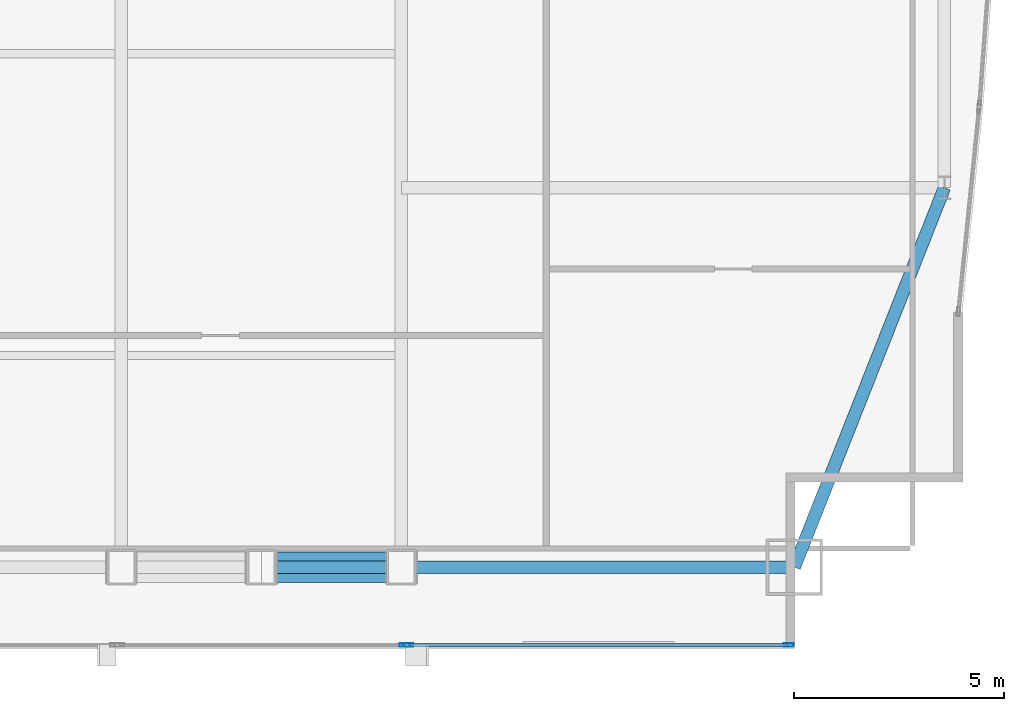
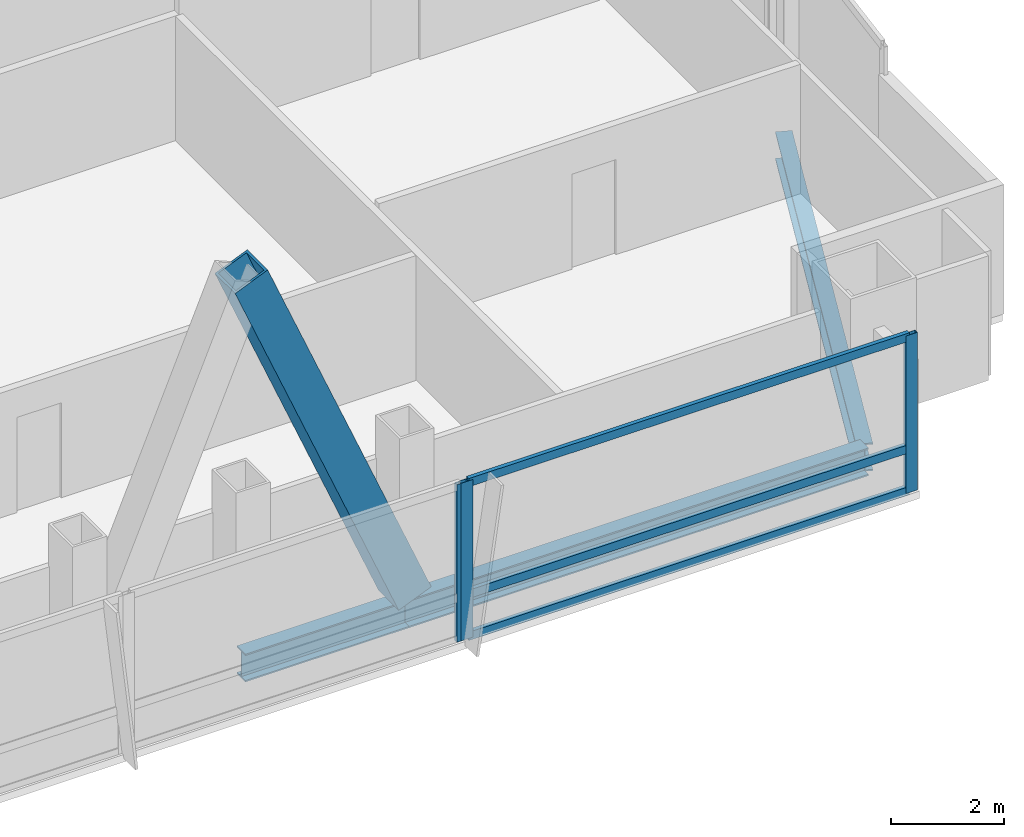
# One storey, part 15 of 29: 7 members, 3 beams, 2 elements without a shape of their own.
"""IFC4 building model written with IfcOpenShell, lengths in metres."""

from ifc_helpers import new_model, si_unit, direction, frame, origin, origin_2d, place, context, subcontext, project, spatial, hollow_rectangle, i_section, extrude, material, material_profile, profile_set, type_object, element, aggregate, save


model = new_model("IFC4")

# Units and contexts
model_context = context("Model", 3, precision=1e-05, world=origin(), true_north=direction((0.0, 1.0)))
body_context = subcontext(model_context, "Body", "Model", "MODEL_VIEW")
ifc_project = project(units=[si_unit("LENGTHUNIT", "METRE"), si_unit("AREAUNIT", "SQUARE_METRE"), si_unit("VOLUMEUNIT", "CUBIC_METRE"), si_unit("PLANEANGLEUNIT", "RADIAN"), si_unit("MASSUNIT", "GRAM", prefix="KILO")], contexts=[model_context])

# Site, building, storey
site_placement = place(None, origin())
site = spatial("IfcSite", under=ifc_project, at=site_placement, CompositionType="ELEMENT")
building_placement = place(site_placement, origin())
building = spatial("IfcBuilding", under=site, at=building_placement, Name="Khoronbel Lancet Exchange", CompositionType="ELEMENT")
storey_placement = place(building_placement, frame((0.0, 0.0, 180.60009765625)))
storey = spatial("IfcBuildingStorey", under=building, at=storey_placement, Name="L45", CompositionType="ELEMENT", Elevation=180.60009765625)

# Beams
ifc_material_1 = material(Name="Steel S355", Category="steel")
ifc_material_profile_1 = material_profile(ifc_material_1, i_section(OverallWidth=0.300048828125, OverallDepth=0.60009765625, WebThickness=0.015380859375, FlangeThickness=0.030029296875, at=origin_2d()), Name="HEB 600")
ifc_profile_set_1 = profile_set([ifc_material_profile_1], Name="Steel S355")
beam_type = type_object("IfcBeamType", Name="BM-BSP2", PredefinedType="SPANDREL", material=ifc_profile_set_1)
beam_1_placement = place(storey_placement, frame((51.33740234375, 10.14990234375, -0.460205078125), z_axis=(1.0, 0.0, 0.0), x_axis=(0.0, 1.0, 0.0)))
element("IfcBeam", 1, at=beam_1_placement, inside=storey, type_object=beam_type, Name="Level L45 perimeter spandrel beam SP08", PredefinedType="SPANDREL", context=body_context, shape_type="SweptSolid", body=[
    extrude(i_section(OverallWidth=0.300048828125, OverallDepth=0.60009765625, WebThickness=0.015380859375, FlangeThickness=0.030029296875, at=origin_2d()), origin(), (0.0, 0.0, 1.0), 3.337646484375),
])
beam_2_placement = place(storey_placement, frame((54.675048828125, 10.14990234375, -0.460205078125), z_axis=(1.0, 0.0, 0.0), x_axis=(0.0, 1.0, 0.0)))
element("IfcBeam", 2, at=beam_2_placement, inside=storey, type_object=beam_type, Name="Level L45 perimeter spandrel beam SP09", PredefinedType="SPANDREL", context=body_context, shape_type="SweptSolid", body=[
    extrude(i_section(OverallWidth=0.300048828125, OverallDepth=0.60009765625, WebThickness=0.015380859375, FlangeThickness=0.030029296875, at=origin_2d()), origin(), (0.0, 0.0, 1.0), 9.375),
])
beam_3_placement = place(storey_placement, frame((64.050048828125, 10.14990234375, -0.460205078125), z_axis=(0.367828403855, 0.929893684954, 0.0), x_axis=(-0.929893684954, 0.367828403855, 0.0)))
element("IfcBeam", 3, at=beam_3_placement, inside=storey, type_object=beam_type, Name="Level L45 perimeter spandrel beam SP10", PredefinedType="SPANDREL", context=body_context, shape_type="SweptSolid", body=[
    extrude(i_section(OverallWidth=0.300048828125, OverallDepth=0.60009765625, WebThickness=0.015380859375, FlangeThickness=0.030029296875, at=origin_2d()), origin(), (0.0, 0.0, 1.0), 9.732421875),
])

# Curtain wall, member
ifc_material_2 = material(Name="Low-E Solar Control Insulating Glass", Category="glass")
curtain_wall_type = type_object("IfcCurtainWallType", Name="CW-3", PredefinedType="NOTDEFINED", material=ifc_material_2)
curtain_wall_1_placement = place(storey_placement, origin())
curtain_wall_1 = element("IfcCurtainWall", 4, at=curtain_wall_1_placement, inside=storey, type_object=curtain_wall_type, Name="Unitised curtain wall CW-L45-SEB", PredefinedType="NOTDEFINED")
ifc_material_3 = material(Name="Bronze-Anodised Aluminium 6063-T6", Category="aluminium")
ifc_material_profile_2 = material_profile(ifc_material_3, hollow_rectangle(XDim=0.0849609375, YDim=0.239990234375, WallThickness=0.006103515625, at=origin_2d()), Name="ALU MULLION 85x240")
ifc_profile_set_2 = profile_set([ifc_material_profile_2], Name="Bronze-Anodised Aluminium 6063-T6")
member_type_1 = type_object("IfcMemberType", Name="MEM-CWM1", PredefinedType="MULLION", material=ifc_profile_set_2)
member_1_placement = place(storey_placement, frame((54.757568359375, 8.2900390625, 0.0), z_axis=(0.0, 0.0, 1.0), x_axis=(0.0, 1.0, 0.0)))
member_1 = element("IfcMember", 5, at=member_1_placement, type_object=member_type_1, Name="CW3 mullion 2", PredefinedType="MULLION", context=body_context, shape_type="SweptSolid", body=[
    extrude(hollow_rectangle(XDim=0.0849609375, YDim=0.239990234375, WallThickness=0.006103515625, at=origin_2d()), origin(), (0.0, 0.0, 1.0), 3.39990234375),
])
aggregate(curtain_wall_1, [member_1])

# Curtain wall, members
curtain_wall_2_placement = place(storey_placement, origin())
curtain_wall_2 = element("IfcCurtainWall", 6, at=curtain_wall_2_placement, inside=storey, type_object=curtain_wall_type, Name="Unitised curtain wall CW-L45-SEV", PredefinedType="NOTDEFINED")
member_2_placement = place(storey_placement, frame((54.842529296875, 8.2900390625, 0.0), z_axis=(0.0, 0.0, 1.0), x_axis=(0.0, 1.0, 0.0)))
member_2 = element("IfcMember", 7, at=member_2_placement, type_object=member_type_1, Name="CW3 mullion 1", PredefinedType="MULLION", context=body_context, shape_type="SweptSolid", body=[
    extrude(hollow_rectangle(XDim=0.0849609375, YDim=0.239990234375, WallThickness=0.006103515625, at=origin_2d()), origin(), (0.0, 0.0, 1.0), 3.39990234375),
])
member_3_placement = place(storey_placement, frame((63.91748046875, 8.2900390625, 0.0), z_axis=(0.0, 0.0, 1.0), x_axis=(0.0, 1.0, 0.0)))
member_3 = element("IfcMember", 8, at=member_3_placement, type_object=member_type_1, Name="CW3 mullion 2", PredefinedType="MULLION", context=body_context, shape_type="SweptSolid", body=[
    extrude(hollow_rectangle(XDim=0.0849609375, YDim=0.239990234375, WallThickness=0.006103515625, at=origin_2d()), origin(), (0.0, 0.0, 1.0), 3.39990234375),
])
ifc_material_profile_3 = material_profile(ifc_material_3, hollow_rectangle(XDim=0.0849609375, YDim=0.179931640625, WallThickness=0.0048828125, at=origin_2d()), Name="ALU TRANSOM 85x180")
ifc_profile_set_3 = profile_set([ifc_material_profile_3], Name="Bronze-Anodised Aluminium 6063-T6")
member_type_2 = type_object("IfcMemberType", Name="MEM-CWT1", PredefinedType="USERDEFINED", material=ifc_profile_set_3)
member_4_placement = place(storey_placement, frame((54.885009765625, 8.2900390625, 0.04248046875), z_axis=(1.0, 0.0, 0.0), x_axis=(0.0, 1.0, 0.0)))
member_4 = element("IfcMember", 9, at=member_4_placement, type_object=member_type_2, Name="CW3 transom 1.1", ObjectType="TRANSOM", PredefinedType="USERDEFINED", context=body_context, shape_type="SweptSolid", body=[
    extrude(hollow_rectangle(XDim=0.0849609375, YDim=0.179931640625, WallThickness=0.0048828125, at=origin_2d()), origin(), (0.0, 0.0, 1.0), 8.989990234375),
])
member_5_placement = place(storey_placement, frame((54.885009765625, 8.2900390625, 0.949951171875), z_axis=(1.0, 0.0, 0.0), x_axis=(0.0, 1.0, 0.0)))
member_5 = element("IfcMember", 10, at=member_5_placement, type_object=member_type_2, Name="CW3 transom 1.2", ObjectType="TRANSOM", PredefinedType="USERDEFINED", context=body_context, shape_type="SweptSolid", body=[
    extrude(hollow_rectangle(XDim=0.0849609375, YDim=0.179931640625, WallThickness=0.0048828125, at=origin_2d()), origin(), (0.0, 0.0, 1.0), 8.989990234375),
])
member_6_placement = place(storey_placement, frame((54.885009765625, 8.2900390625, 3.357421875), z_axis=(1.0, 0.0, 0.0), x_axis=(0.0, 1.0, 0.0)))
member_6 = element("IfcMember", 11, at=member_6_placement, type_object=member_type_2, Name="CW3 transom 1.3", ObjectType="TRANSOM", PredefinedType="USERDEFINED", context=body_context, shape_type="SweptSolid", body=[
    extrude(hollow_rectangle(XDim=0.0849609375, YDim=0.179931640625, WallThickness=0.0048828125, at=origin_2d()), origin(), (0.0, 0.0, 1.0), 8.989990234375),
])
aggregate(curtain_wall_2, [member_2, member_3, member_4, member_5, member_6])

# Member
ifc_material_4 = material(Name="Steel S460", Category="steel")
ifc_material_profile_4 = material_profile(ifc_material_4, hollow_rectangle(XDim=0.719970703125, YDim=0.719970703125, WallThickness=0.050048828125, at=origin_2d()), Name="BOX 720x720x50")
ifc_profile_set_4 = profile_set([ifc_material_profile_4], Name="Steel S460")
member_type_3 = type_object("IfcMemberType", Name="MEM-MB2", PredefinedType="BRACE", material=ifc_profile_set_4)
member_7_placement = place(storey_placement, frame((54.675048828125, 10.14990234375, 0.0), z_axis=(-0.385039314112, 0.0, 0.922900171518), x_axis=(0.0, -1.0, 0.0)))
element("IfcMember", 12, at=member_7_placement, inside=storey, type_object=member_type_3, Name="Perimeter lancet brace tier 15 S-E-R", PredefinedType="BRACE", context=body_context, shape_type="SweptSolid", body=[
    extrude(hollow_rectangle(XDim=0.719970703125, YDim=0.719970703125, WallThickness=0.050048828125, at=origin_2d()), origin(), (0.0, 0.0, 1.0), 8.668212890625),
])

save(model, "model.ifc")
